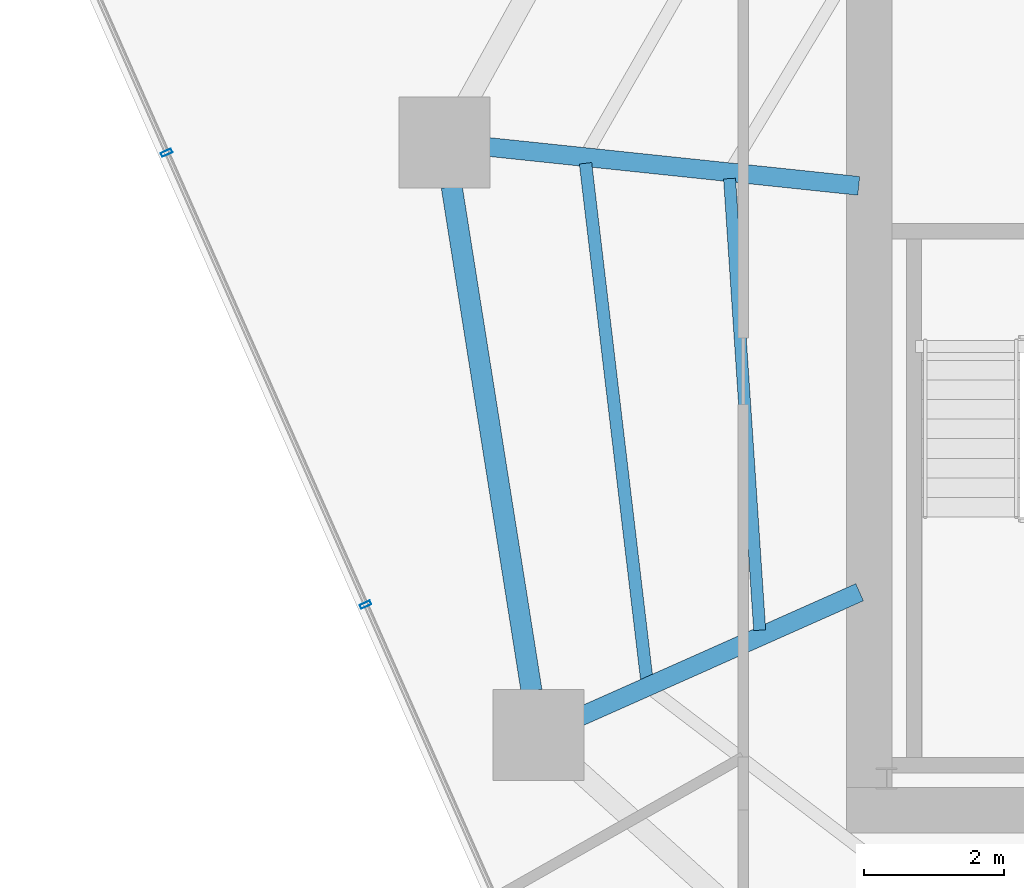
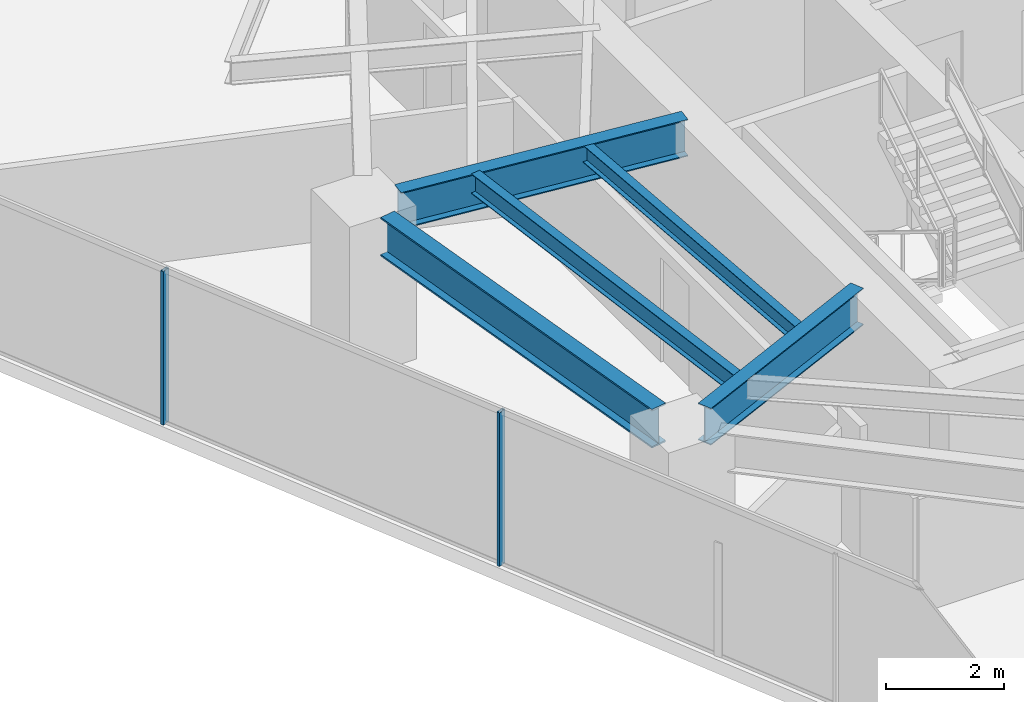
# One storey, part 7 of 28: 5 beams, 2 members, 1 element without a shape of its own.
"""IFC4 building model written with IfcOpenShell, lengths in metres."""

from ifc_helpers import new_model, si_unit, direction, frame, origin, origin_2d, place, context, subcontext, project, spatial, hollow_rectangle, i_section, extrude, material, layer, layer_set, material_profile, profile_set, type_object, element, aggregate, save


model = new_model("IFC4")

# Units and contexts
model_context = context("Model", 3, precision=1e-05, world=origin(), true_north=direction((0.0, 1.0)))
body_context = subcontext(model_context, "Body", "Model", "MODEL_VIEW")
ifc_project = project(units=[si_unit("LENGTHUNIT", "METRE"), si_unit("AREAUNIT", "SQUARE_METRE"), si_unit("VOLUMEUNIT", "CUBIC_METRE"), si_unit("PLANEANGLEUNIT", "RADIAN"), si_unit("MASSUNIT", "GRAM", prefix="KILO")], contexts=[model_context])

# Site, building, storey
site_placement = place(None, origin())
site = spatial("IfcSite", under=ifc_project, at=site_placement, CompositionType="ELEMENT")
building_placement = place(site_placement, origin())
building = spatial("IfcBuilding", under=site, at=building_placement, Name="Qarnah Convention Tower", CompositionType="ELEMENT")
storey_placement = place(building_placement, frame((0.0, 0.0, 44.25)))
storey = spatial("IfcBuildingStorey", under=building, at=storey_placement, Name="L10", CompositionType="ELEMENT", Elevation=44.25)

# Beams
ifc_material_1 = material(Name="Structural steel S355JR", Category="steel")
ifc_material_profile_1 = material_profile(ifc_material_1, i_section(OverallWidth=0.172119140625, OverallDepth=0.35595703125, WebThickness=0.007080078125, FlangeThickness=0.011962890625, at=origin_2d()), Name="W360X51")
ifc_profile_set_1 = profile_set([ifc_material_profile_1], Name="Structural steel S355JR")
beam_type_1 = type_object("IfcBeamType", Name="BM-JST-W360", PredefinedType="JOIST", material=ifc_profile_set_1)
beam_1_placement = place(storey_placement, frame((24.806884765625, 27.613037109375, 2.991943359375), z_axis=(0.066586732153, -0.997780640773, 0.0), x_axis=(0.997780640773, 0.066586732153, 0.0)))
element("IfcBeam", 1, at=beam_1_placement, inside=storey, type_object=beam_type_1, Name="L10 joist BM-L10-IJST-05", PredefinedType="JOIST", context=body_context, shape_type="SweptSolid", body=[
    extrude(i_section(OverallWidth=0.172119140625, OverallDepth=0.35595703125, WebThickness=0.007080078125, FlangeThickness=0.011962890625, at=origin_2d()), origin(), (0.0, 0.0, 1.0), 6.46044921875),
])
ifc_material_profile_2 = material_profile(ifc_material_1, i_section(OverallWidth=0.177978515625, OverallDepth=0.407958984375, WebThickness=0.008056640625, FlangeThickness=0.012939453125, at=origin_2d()), Name="W410X60")
ifc_profile_set_2 = profile_set([ifc_material_profile_2], Name="Structural steel S355JR")
beam_type_2 = type_object("IfcBeamType", Name="BM-JST-W410", PredefinedType="JOIST", material=ifc_profile_set_2)
beam_2_placement = place(storey_placement, frame((22.7509765625, 27.8310546875, 2.966064453125), z_axis=(0.117866605608, -0.993029437269, 0.0), x_axis=(0.993029437269, 0.117866605608, 0.0)))
element("IfcBeam", 2, at=beam_2_placement, inside=storey, type_object=beam_type_2, Name="L10 joist BM-L10-SJST-05", PredefinedType="JOIST", context=body_context, shape_type="SweptSolid", body=[
    extrude(i_section(OverallWidth=0.177978515625, OverallDepth=0.407958984375, WebThickness=0.008056640625, FlangeThickness=0.012939453125, at=origin_2d()), origin(), (0.0, 0.0, 1.0), 7.431884765625),
])
ifc_material_profile_3 = material_profile(ifc_material_1, i_section(OverallWidth=0.26806640625, OverallDepth=0.760009765625, WebThickness=0.014892578125, FlangeThickness=0.02197265625, at=origin_2d()), Name="W760X185")
ifc_profile_set_3 = profile_set([ifc_material_profile_3], Name="Structural steel S355JR")
beam_type_3 = type_object("IfcBeamType", Name="BM-RAD-W760", PredefinedType="BEAM", material=ifc_profile_set_3)
beam_3_placement = place(storey_placement, frame((26.65087890625, 27.509033203125, 2.7900390625), z_axis=(-0.99452834613, 0.10446707014, 0.0), x_axis=(-0.10446707014, -0.99452834613, 0.0)))
element("IfcBeam", 3, at=beam_3_placement, inside=storey, type_object=beam_type_3, Name="L10 beam BM-L10-RAD-05", PredefinedType="BEAM", context=body_context, shape_type="SweptSolid", body=[
    extrude(i_section(OverallWidth=0.26806640625, OverallDepth=0.760009765625, WebThickness=0.014892578125, FlangeThickness=0.02197265625, at=origin_2d()), origin(), (0.0, 0.0, 1.0), 5.31201171875),
])
beam_4_placement = place(storey_placement, frame((26.6630859375, 21.708984375, 2.7900390625), z_axis=(-0.913519753242, -0.406794371195, 0.0), x_axis=(0.406794371195, -0.913519753242, 0.0)))
element("IfcBeam", 4, at=beam_4_placement, inside=storey, type_object=beam_type_3, Name="L10 beam BM-L10-RAD-06", PredefinedType="BEAM", context=body_context, shape_type="SweptSolid", body=[
    extrude(i_section(OverallWidth=0.26806640625, OverallDepth=0.760009765625, WebThickness=0.014892578125, FlangeThickness=0.02197265625, at=origin_2d()), origin(), (0.0, 0.0, 1.0), 4.38525390625),
])
ifc_material_profile_4 = material_profile(ifc_material_1, i_section(OverallWidth=0.300048828125, OverallDepth=0.800048828125, WebThickness=0.01806640625, FlangeThickness=0.032958984375, at=origin_2d()), Name="HEB800")
ifc_profile_set_4 = profile_set([ifc_material_profile_4], Name="Structural steel S355JR")
beam_type_4 = type_object("IfcBeamType", Name="BM-RING-HEB800", PredefinedType="BEAM", material=ifc_profile_set_4)
beam_5_placement = place(storey_placement, frame((20.841064453125, 27.498046875, 2.77001953125), z_axis=(0.156433977502, -0.987688417814, 0.0), x_axis=(0.987688417814, 0.156433977502, 0.0)))
element("IfcBeam", 5, at=beam_5_placement, inside=storey, type_object=beam_type_4, Name="L10 beam BM-L10-SPN-05", PredefinedType="BEAM", context=body_context, shape_type="SweptSolid", body=[
    extrude(i_section(OverallWidth=0.300048828125, OverallDepth=0.800048828125, WebThickness=0.01806640625, FlangeThickness=0.032958984375, at=origin_2d()), origin(), (0.0, 0.0, 1.0), 7.28662109375),
])

# Curtain wall, members
ifc_material_2 = material(Name="Tempered Low-E dark glass", Category="glass")
ifc_layer = layer(ifc_material_2, 0.16796875)
ifc_layer_set = layer_set([ifc_layer], Name="Tempered Low-E dark glass")
curtain_wall_type = type_object("IfcCurtainWallType", Name="CWS-01", PredefinedType="NOTDEFINED", material=ifc_layer_set)
curtain_wall_placement = place(storey_placement, origin())
curtain_wall = element("IfcCurtainWall", 6, at=curtain_wall_placement, inside=storey, type_object=curtain_wall_type, Name="L10 unitised curtain wall CW-L10-F1", PredefinedType="NOTDEFINED")
ifc_material_3 = material(Name="Black anodised aluminium", Category="aluminium")
ifc_material_profile_5 = material_profile(ifc_material_3, hollow_rectangle(XDim=0.06005859375, YDim=0.159912109375, WallThickness=0.00390625, at=origin_2d()), Name="MUL-60X160")
ifc_profile_set_5 = profile_set([ifc_material_profile_5], Name="Black anodised aluminium")
member_type = type_object("IfcMemberType", Name="MUL-T1", PredefinedType="MULLION", material=ifc_profile_set_5)
member_1_placement = place(storey_placement, frame((19.61083984375, 21.531494140625, 0.0), z_axis=(0.0, 0.0, 1.0), x_axis=(-0.402894582993, 0.915246390321, 0.0)))
member_1 = element("IfcMember", 7, at=member_1_placement, type_object=member_type, Name="CW-L10-F1 mullion 4", PredefinedType="MULLION", context=body_context, shape_type="SweptSolid", body=[
    extrude(hollow_rectangle(XDim=0.06005859375, YDim=0.159912109375, WallThickness=0.00390625, at=origin_2d()), origin(), (0.0, 0.0, 1.0), 3.169921875),
])
member_2_placement = place(storey_placement, frame((16.771484375, 27.981689453125, 0.0), z_axis=(0.0, 0.0, 1.0), x_axis=(-0.402894582993, 0.915246390321, 0.0)))
member_2 = element("IfcMember", 8, at=member_2_placement, type_object=member_type, Name="CW-L10-F1 mullion 5", PredefinedType="MULLION", context=body_context, shape_type="SweptSolid", body=[
    extrude(hollow_rectangle(XDim=0.06005859375, YDim=0.159912109375, WallThickness=0.00390625, at=origin_2d()), origin(), (0.0, 0.0, 1.0), 3.169921875),
])
aggregate(curtain_wall, [member_1, member_2])

save(model, "model.ifc")
